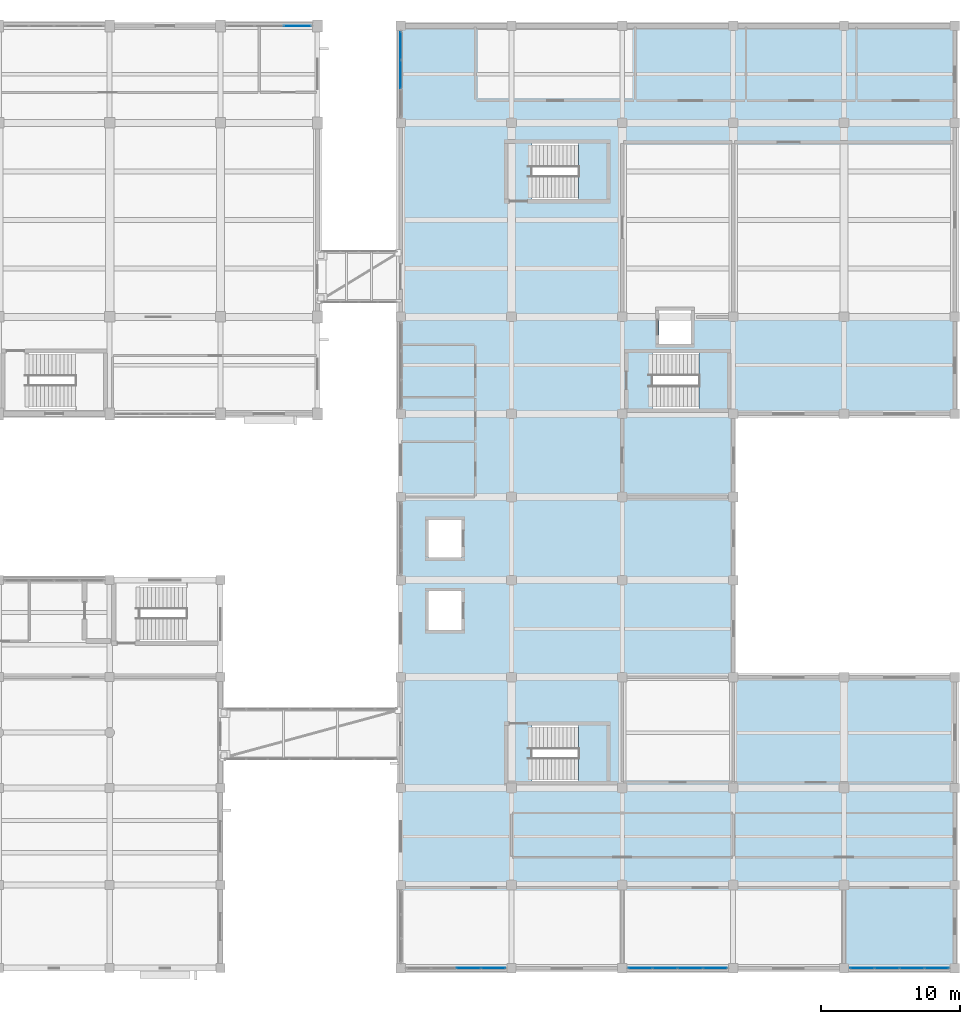
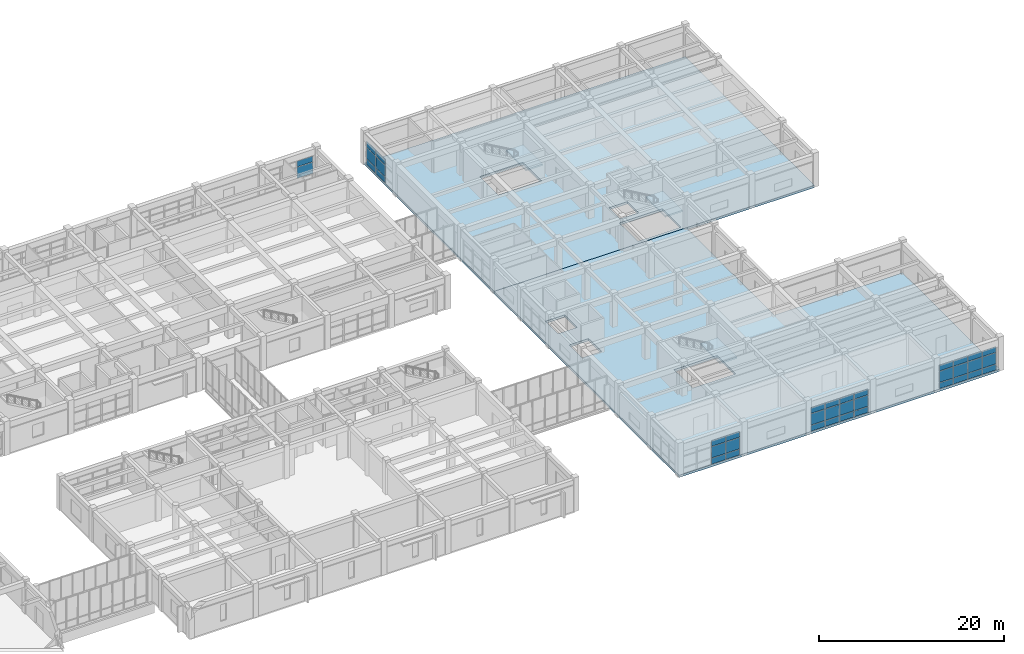
# One storey, part 44 of 72: 38 plates, 5 slabs, 8 elements without a shape of their own.
"""IFC4 building model written with IfcOpenShell, lengths in metres."""

from ifc_helpers import new_model, si_unit, direction, frame, origin, origin_2d, place, context, subcontext, project, spatial, polyline, rectangle, outline, extrude, material, layer, layer_set, type_object, element, aggregate, save


model = new_model("IFC4")

# Units and contexts
model_context = context("Model", 3, precision=1e-05, world=origin(), true_north=direction((0.0, 1.0)))
body_context = subcontext(model_context, "Body", "Model", "MODEL_VIEW")
ifc_project = project(units=[si_unit("LENGTHUNIT", "METRE"), si_unit("AREAUNIT", "SQUARE_METRE"), si_unit("VOLUMEUNIT", "CUBIC_METRE"), si_unit("PLANEANGLEUNIT", "RADIAN"), si_unit("MASSUNIT", "GRAM", prefix="KILO")], contexts=[model_context])

# Site, building, storey
site_placement = place(None, origin())
site = spatial("IfcSite", under=ifc_project, at=site_placement, CompositionType="ELEMENT")
building_placement = place(site_placement, origin())
building = spatial("IfcBuilding", under=site, at=building_placement, Name="Naurynzar Civic Courthouse", CompositionType="ELEMENT")
storey_placement = place(building_placement, frame((0.0, 0.0, 9.89990234375)))
storey = spatial("IfcBuildingStorey", under=building, at=storey_placement, Name="L03", CompositionType="ELEMENT", Elevation=9.89990234375)

# Curtain wall, plates
ifc_material_1 = material(Name="Aluminium 6063-T6", Category="aluminium")
ifc_layer_1 = layer(ifc_material_1, 0.159912109375)
ifc_layer_set_1 = layer_set([ifc_layer_1], Name="CW-UNIT-1800")
curtain_wall_type = type_object("IfcCurtainWallType", Name="CW-UNIT-1800", PredefinedType="NOTDEFINED", material=ifc_layer_set_1)
curtain_wall_1_placement = place(storey_placement, origin())
curtain_wall_1 = element("IfcCurtainWall", 1, at=curtain_wall_1_placement, inside=storey, type_object=curtain_wall_type, Name="V2 unitised curtain wall 27 L03", PredefinedType="NOTDEFINED")
ifc_material_2 = material(Name="Tempered Laminated Low-E Glass", Category="glass")
ifc_layer_2 = layer(ifc_material_2, 0.035888671875)
ifc_layer_set_2 = layer_set([ifc_layer_2], Name="CWP-IGU-36")
plate_type = type_object("IfcPlateType", Name="CWP-IGU-36", PredefinedType="CURTAIN_PANEL", material=ifc_layer_set_2)
plate_1_placement = place(storey_placement, frame((122.549072265625, 72.0, 0.885009765625), z_axis=(0.0, 0.0, 1.0), x_axis=(1.0, 0.0, 0.0)))
plate_1 = element("IfcPlate", 2, at=plate_1_placement, type_object=plate_type, Name="CW-02 panel 3.2", PredefinedType="CURTAIN_PANEL", context=body_context, shape_type="SweptSolid", body=[
    extrude(rectangle(XDim=1.961669921875, YDim=0.035888671875, at=origin_2d()), origin(), (0.0, 0.0, 1.0), 1.4599609375),
])
plate_2_placement = place(storey_placement, frame((122.549072265625, 72.0, 2.4150390625), z_axis=(0.0, 0.0, 1.0), x_axis=(1.0, 0.0, 0.0)))
plate_2 = element("IfcPlate", 3, at=plate_2_placement, type_object=plate_type, Name="CW-02 panel 3.3", PredefinedType="CURTAIN_PANEL", context=body_context, shape_type="SweptSolid", body=[
    extrude(rectangle(XDim=1.961669921875, YDim=0.035888671875, at=origin_2d()), origin(), (0.0, 0.0, 1.0), 0.7451171875),
])
aggregate(curtain_wall_1, [plate_1, plate_2])

curtain_wall_2_placement = place(storey_placement, origin())
curtain_wall_2 = element("IfcCurtainWall", 4, at=curtain_wall_2_placement, inside=storey, type_object=curtain_wall_type, Name="V5 unitised curtain wall 93 L03", PredefinedType="NOTDEFINED")
plate_3_placement = place(storey_placement, frame((130.0, 68.5, 0.070068359375), z_axis=(0.0, 0.0, 1.0), x_axis=(0.0, 1.0, 0.0)))
plate_3 = element("IfcPlate", 5, at=plate_3_placement, type_object=plate_type, Name="CW-02 panel 2.1", PredefinedType="CURTAIN_PANEL", context=body_context, shape_type="SweptSolid", body=[
    extrude(rectangle(XDim=2.0048828125, YDim=0.035888671875, at=origin_2d()), origin(), (0.0, 0.0, 1.0), 0.7451171875),
])
plate_4_placement = place(storey_placement, frame((130.0, 68.5, 0.885009765625), z_axis=(0.0, 0.0, 1.0), x_axis=(0.0, 1.0, 0.0)))
plate_4 = element("IfcPlate", 6, at=plate_4_placement, type_object=plate_type, Name="CW-02 panel 2.2", PredefinedType="CURTAIN_PANEL", context=body_context, shape_type="SweptSolid", body=[
    extrude(rectangle(XDim=2.0048828125, YDim=0.035888671875, at=origin_2d()), origin(), (0.0, 0.0, 1.0), 1.4599609375),
])
plate_5_placement = place(storey_placement, frame((130.0, 68.5, 2.4150390625), z_axis=(0.0, 0.0, 1.0), x_axis=(0.0, 1.0, 0.0)))
plate_5 = element("IfcPlate", 7, at=plate_5_placement, type_object=plate_type, Name="CW-02 panel 2.3", PredefinedType="CURTAIN_PANEL", context=body_context, shape_type="SweptSolid", body=[
    extrude(rectangle(XDim=2.0048828125, YDim=0.035888671875, at=origin_2d()), origin(), (0.0, 0.0, 1.0), 0.7451171875),
])
plate_6_placement = place(storey_placement, frame((130.0, 70.5576171875, 0.070068359375), z_axis=(0.0, 0.0, 1.0), x_axis=(0.0, 1.0, 0.0)))
plate_6 = element("IfcPlate", 8, at=plate_6_placement, type_object=plate_type, Name="CW-02 panel 3.1", PredefinedType="CURTAIN_PANEL", context=body_context, shape_type="SweptSolid", body=[
    extrude(rectangle(XDim=1.969970703125, YDim=0.035888671875, at=origin_2d()), origin(), (0.0, 0.0, 1.0), 0.7451171875),
])
plate_7_placement = place(storey_placement, frame((130.0, 70.5576171875, 0.885009765625), z_axis=(0.0, 0.0, 1.0), x_axis=(0.0, 1.0, 0.0)))
plate_7 = element("IfcPlate", 9, at=plate_7_placement, type_object=plate_type, Name="CW-02 panel 3.2", PredefinedType="CURTAIN_PANEL", context=body_context, shape_type="SweptSolid", body=[
    extrude(rectangle(XDim=1.969970703125, YDim=0.035888671875, at=origin_2d()), origin(), (0.0, 0.0, 1.0), 1.4599609375),
])
plate_8_placement = place(storey_placement, frame((130.0, 70.5576171875, 2.4150390625), z_axis=(0.0, 0.0, 1.0), x_axis=(0.0, 1.0, 0.0)))
plate_8 = element("IfcPlate", 10, at=plate_8_placement, type_object=plate_type, Name="CW-02 panel 3.3", PredefinedType="CURTAIN_PANEL", context=body_context, shape_type="SweptSolid", body=[
    extrude(rectangle(XDim=1.969970703125, YDim=0.035888671875, at=origin_2d()), origin(), (0.0, 0.0, 1.0), 0.7451171875),
])
aggregate(curtain_wall_2, [plate_3, plate_4, plate_5, plate_6, plate_7, plate_8])

curtain_wall_3_placement = place(storey_placement, origin())
curtain_wall_3 = element("IfcCurtainWall", 11, at=curtain_wall_3_placement, inside=storey, type_object=curtain_wall_type, Name="V5 unitised curtain wall 94 L03", PredefinedType="NOTDEFINED")
plate_9_placement = place(storey_placement, frame((168.69189453125, 4.0, 0.070068359375), z_axis=(0.0, 0.0, 1.0), x_axis=(-1.0, 0.0, 0.0)))
plate_9 = element("IfcPlate", 12, at=plate_9_placement, type_object=plate_type, Name="CW-02 panel 1.1", PredefinedType="CURTAIN_PANEL", context=body_context, shape_type="SweptSolid", body=[
    extrude(rectangle(XDim=1.701171875, YDim=0.035888671875, at=origin_2d()), origin(), (0.0, 0.0, 1.0), 0.7451171875),
])
plate_10_placement = place(storey_placement, frame((168.69189453125, 4.0, 0.885009765625), z_axis=(0.0, 0.0, 1.0), x_axis=(-1.0, 0.0, 0.0)))
plate_10 = element("IfcPlate", 13, at=plate_10_placement, type_object=plate_type, Name="CW-02 panel 1.2", PredefinedType="CURTAIN_PANEL", context=body_context, shape_type="SweptSolid", body=[
    extrude(rectangle(XDim=1.701171875, YDim=0.035888671875, at=origin_2d()), origin(), (0.0, 0.0, 1.0), 1.4599609375),
])
plate_11_placement = place(storey_placement, frame((168.69189453125, 4.0, 2.4150390625), z_axis=(0.0, 0.0, 1.0), x_axis=(-1.0, 0.0, 0.0)))
plate_11 = element("IfcPlate", 14, at=plate_11_placement, type_object=plate_type, Name="CW-02 panel 1.3", PredefinedType="CURTAIN_PANEL", context=body_context, shape_type="SweptSolid", body=[
    extrude(rectangle(XDim=1.701171875, YDim=0.035888671875, at=origin_2d()), origin(), (0.0, 0.0, 1.0), 0.7451171875),
])
plate_12_placement = place(storey_placement, frame((166.903076171875, 4.0, 0.070068359375), z_axis=(0.0, 0.0, 1.0), x_axis=(-1.0, 0.0, 0.0)))
plate_12 = element("IfcPlate", 15, at=plate_12_placement, type_object=plate_type, Name="CW-02 panel 2.1", PredefinedType="CURTAIN_PANEL", context=body_context, shape_type="SweptSolid", body=[
    extrude(rectangle(XDim=1.736328125, YDim=0.035888671875, at=origin_2d()), origin(), (0.0, 0.0, 1.0), 0.7451171875),
])
plate_13_placement = place(storey_placement, frame((166.903076171875, 4.0, 0.885009765625), z_axis=(0.0, 0.0, 1.0), x_axis=(-1.0, 0.0, 0.0)))
plate_13 = element("IfcPlate", 16, at=plate_13_placement, type_object=plate_type, Name="CW-02 panel 2.2", PredefinedType="CURTAIN_PANEL", context=body_context, shape_type="SweptSolid", body=[
    extrude(rectangle(XDim=1.736328125, YDim=0.035888671875, at=origin_2d()), origin(), (0.0, 0.0, 1.0), 1.4599609375),
])
plate_14_placement = place(storey_placement, frame((166.903076171875, 4.0, 2.4150390625), z_axis=(0.0, 0.0, 1.0), x_axis=(-1.0, 0.0, 0.0)))
plate_14 = element("IfcPlate", 17, at=plate_14_placement, type_object=plate_type, Name="CW-02 panel 2.3", PredefinedType="CURTAIN_PANEL", context=body_context, shape_type="SweptSolid", body=[
    extrude(rectangle(XDim=1.736328125, YDim=0.035888671875, at=origin_2d()), origin(), (0.0, 0.0, 1.0), 0.7451171875),
])
plate_15_placement = place(storey_placement, frame((165.096923828125, 4.0, 0.070068359375), z_axis=(0.0, 0.0, 1.0), x_axis=(-1.0, 0.0, 0.0)))
plate_15 = element("IfcPlate", 18, at=plate_15_placement, type_object=plate_type, Name="CW-02 panel 3.1", PredefinedType="CURTAIN_PANEL", context=body_context, shape_type="SweptSolid", body=[
    extrude(rectangle(XDim=1.736328125, YDim=0.035888671875, at=origin_2d()), origin(), (0.0, 0.0, 1.0), 0.7451171875),
])
plate_16_placement = place(storey_placement, frame((165.096923828125, 4.0, 0.885009765625), z_axis=(0.0, 0.0, 1.0), x_axis=(-1.0, 0.0, 0.0)))
plate_16 = element("IfcPlate", 19, at=plate_16_placement, type_object=plate_type, Name="CW-02 panel 3.2", PredefinedType="CURTAIN_PANEL", context=body_context, shape_type="SweptSolid", body=[
    extrude(rectangle(XDim=1.736328125, YDim=0.035888671875, at=origin_2d()), origin(), (0.0, 0.0, 1.0), 1.4599609375),
])
plate_17_placement = place(storey_placement, frame((165.096923828125, 4.0, 2.4150390625), z_axis=(0.0, 0.0, 1.0), x_axis=(-1.0, 0.0, 0.0)))
plate_17 = element("IfcPlate", 20, at=plate_17_placement, type_object=plate_type, Name="CW-02 panel 3.3", PredefinedType="CURTAIN_PANEL", context=body_context, shape_type="SweptSolid", body=[
    extrude(rectangle(XDim=1.736328125, YDim=0.035888671875, at=origin_2d()), origin(), (0.0, 0.0, 1.0), 0.7451171875),
])
plate_18_placement = place(storey_placement, frame((163.30810546875, 4.0, 0.070068359375), z_axis=(0.0, 0.0, 1.0), x_axis=(-1.0, 0.0, 0.0)))
plate_18 = element("IfcPlate", 21, at=plate_18_placement, type_object=plate_type, Name="CW-02 panel 4.1", PredefinedType="CURTAIN_PANEL", context=body_context, shape_type="SweptSolid", body=[
    extrude(rectangle(XDim=1.701171875, YDim=0.035888671875, at=origin_2d()), origin(), (0.0, 0.0, 1.0), 0.7451171875),
])
plate_19_placement = place(storey_placement, frame((163.30810546875, 4.0, 0.885009765625), z_axis=(0.0, 0.0, 1.0), x_axis=(-1.0, 0.0, 0.0)))
plate_19 = element("IfcPlate", 22, at=plate_19_placement, type_object=plate_type, Name="CW-02 panel 4.2", PredefinedType="CURTAIN_PANEL", context=body_context, shape_type="SweptSolid", body=[
    extrude(rectangle(XDim=1.701171875, YDim=0.035888671875, at=origin_2d()), origin(), (0.0, 0.0, 1.0), 1.4599609375),
])
plate_20_placement = place(storey_placement, frame((163.30810546875, 4.0, 2.4150390625), z_axis=(0.0, 0.0, 1.0), x_axis=(-1.0, 0.0, 0.0)))
plate_20 = element("IfcPlate", 23, at=plate_20_placement, type_object=plate_type, Name="CW-02 panel 4.3", PredefinedType="CURTAIN_PANEL", context=body_context, shape_type="SweptSolid", body=[
    extrude(rectangle(XDim=1.701171875, YDim=0.035888671875, at=origin_2d()), origin(), (0.0, 0.0, 1.0), 0.7451171875),
])
aggregate(curtain_wall_3, [plate_9, plate_10, plate_11, plate_12, plate_13, plate_14, plate_15, plate_16, plate_17, plate_18, plate_19, plate_20])

curtain_wall_4_placement = place(storey_placement, origin())
curtain_wall_4 = element("IfcCurtainWall", 24, at=curtain_wall_4_placement, inside=storey, type_object=curtain_wall_type, Name="V5 unitised curtain wall 95 L03", PredefinedType="NOTDEFINED")
plate_21_placement = place(storey_placement, frame((152.69189453125, 4.0, 0.070068359375), z_axis=(0.0, 0.0, 1.0), x_axis=(-1.0, 0.0, 0.0)))
plate_21 = element("IfcPlate", 25, at=plate_21_placement, type_object=plate_type, Name="CW-02 panel 1.1", PredefinedType="CURTAIN_PANEL", context=body_context, shape_type="SweptSolid", body=[
    extrude(rectangle(XDim=1.701171875, YDim=0.035888671875, at=origin_2d()), origin(), (0.0, 0.0, 1.0), 0.7451171875),
])
plate_22_placement = place(storey_placement, frame((152.69189453125, 4.0, 0.885009765625), z_axis=(0.0, 0.0, 1.0), x_axis=(-1.0, 0.0, 0.0)))
plate_22 = element("IfcPlate", 26, at=plate_22_placement, type_object=plate_type, Name="CW-02 panel 1.2", PredefinedType="CURTAIN_PANEL", context=body_context, shape_type="SweptSolid", body=[
    extrude(rectangle(XDim=1.701171875, YDim=0.035888671875, at=origin_2d()), origin(), (0.0, 0.0, 1.0), 1.4599609375),
])
plate_23_placement = place(storey_placement, frame((152.69189453125, 4.0, 2.4150390625), z_axis=(0.0, 0.0, 1.0), x_axis=(-1.0, 0.0, 0.0)))
plate_23 = element("IfcPlate", 27, at=plate_23_placement, type_object=plate_type, Name="CW-02 panel 1.3", PredefinedType="CURTAIN_PANEL", context=body_context, shape_type="SweptSolid", body=[
    extrude(rectangle(XDim=1.701171875, YDim=0.035888671875, at=origin_2d()), origin(), (0.0, 0.0, 1.0), 0.7451171875),
])
plate_24_placement = place(storey_placement, frame((150.903076171875, 4.0, 0.070068359375), z_axis=(0.0, 0.0, 1.0), x_axis=(-1.0, 0.0, 0.0)))
plate_24 = element("IfcPlate", 28, at=plate_24_placement, type_object=plate_type, Name="CW-02 panel 2.1", PredefinedType="CURTAIN_PANEL", context=body_context, shape_type="SweptSolid", body=[
    extrude(rectangle(XDim=1.736328125, YDim=0.035888671875, at=origin_2d()), origin(), (0.0, 0.0, 1.0), 0.7451171875),
])
plate_25_placement = place(storey_placement, frame((150.903076171875, 4.0, 0.885009765625), z_axis=(0.0, 0.0, 1.0), x_axis=(-1.0, 0.0, 0.0)))
plate_25 = element("IfcPlate", 29, at=plate_25_placement, type_object=plate_type, Name="CW-02 panel 2.2", PredefinedType="CURTAIN_PANEL", context=body_context, shape_type="SweptSolid", body=[
    extrude(rectangle(XDim=1.736328125, YDim=0.035888671875, at=origin_2d()), origin(), (0.0, 0.0, 1.0), 1.4599609375),
])
plate_26_placement = place(storey_placement, frame((150.903076171875, 4.0, 2.4150390625), z_axis=(0.0, 0.0, 1.0), x_axis=(-1.0, 0.0, 0.0)))
plate_26 = element("IfcPlate", 30, at=plate_26_placement, type_object=plate_type, Name="CW-02 panel 2.3", PredefinedType="CURTAIN_PANEL", context=body_context, shape_type="SweptSolid", body=[
    extrude(rectangle(XDim=1.736328125, YDim=0.035888671875, at=origin_2d()), origin(), (0.0, 0.0, 1.0), 0.7451171875),
])
plate_27_placement = place(storey_placement, frame((149.096923828125, 4.0, 0.070068359375), z_axis=(0.0, 0.0, 1.0), x_axis=(-1.0, 0.0, 0.0)))
plate_27 = element("IfcPlate", 31, at=plate_27_placement, type_object=plate_type, Name="CW-02 panel 3.1", PredefinedType="CURTAIN_PANEL", context=body_context, shape_type="SweptSolid", body=[
    extrude(rectangle(XDim=1.736328125, YDim=0.035888671875, at=origin_2d()), origin(), (0.0, 0.0, 1.0), 0.7451171875),
])
plate_28_placement = place(storey_placement, frame((149.096923828125, 4.0, 0.885009765625), z_axis=(0.0, 0.0, 1.0), x_axis=(-1.0, 0.0, 0.0)))
plate_28 = element("IfcPlate", 32, at=plate_28_placement, type_object=plate_type, Name="CW-02 panel 3.2", PredefinedType="CURTAIN_PANEL", context=body_context, shape_type="SweptSolid", body=[
    extrude(rectangle(XDim=1.736328125, YDim=0.035888671875, at=origin_2d()), origin(), (0.0, 0.0, 1.0), 1.4599609375),
])
plate_29_placement = place(storey_placement, frame((149.096923828125, 4.0, 2.4150390625), z_axis=(0.0, 0.0, 1.0), x_axis=(-1.0, 0.0, 0.0)))
plate_29 = element("IfcPlate", 33, at=plate_29_placement, type_object=plate_type, Name="CW-02 panel 3.3", PredefinedType="CURTAIN_PANEL", context=body_context, shape_type="SweptSolid", body=[
    extrude(rectangle(XDim=1.736328125, YDim=0.035888671875, at=origin_2d()), origin(), (0.0, 0.0, 1.0), 0.7451171875),
])
plate_30_placement = place(storey_placement, frame((147.30810546875, 4.0, 0.070068359375), z_axis=(0.0, 0.0, 1.0), x_axis=(-1.0, 0.0, 0.0)))
plate_30 = element("IfcPlate", 34, at=plate_30_placement, type_object=plate_type, Name="CW-02 panel 4.1", PredefinedType="CURTAIN_PANEL", context=body_context, shape_type="SweptSolid", body=[
    extrude(rectangle(XDim=1.701171875, YDim=0.035888671875, at=origin_2d()), origin(), (0.0, 0.0, 1.0), 0.7451171875),
])
plate_31_placement = place(storey_placement, frame((147.30810546875, 4.0, 0.885009765625), z_axis=(0.0, 0.0, 1.0), x_axis=(-1.0, 0.0, 0.0)))
plate_31 = element("IfcPlate", 35, at=plate_31_placement, type_object=plate_type, Name="CW-02 panel 4.2", PredefinedType="CURTAIN_PANEL", context=body_context, shape_type="SweptSolid", body=[
    extrude(rectangle(XDim=1.701171875, YDim=0.035888671875, at=origin_2d()), origin(), (0.0, 0.0, 1.0), 1.4599609375),
])
plate_32_placement = place(storey_placement, frame((147.30810546875, 4.0, 2.4150390625), z_axis=(0.0, 0.0, 1.0), x_axis=(-1.0, 0.0, 0.0)))
plate_32 = element("IfcPlate", 36, at=plate_32_placement, type_object=plate_type, Name="CW-02 panel 4.3", PredefinedType="CURTAIN_PANEL", context=body_context, shape_type="SweptSolid", body=[
    extrude(rectangle(XDim=1.701171875, YDim=0.035888671875, at=origin_2d()), origin(), (0.0, 0.0, 1.0), 0.7451171875),
])
aggregate(curtain_wall_4, [plate_21, plate_22, plate_23, plate_24, plate_25, plate_26, plate_27, plate_28, plate_29, plate_30, plate_31, plate_32])

curtain_wall_5_placement = place(storey_placement, origin())
curtain_wall_5 = element("IfcCurtainWall", 37, at=curtain_wall_5_placement, inside=storey, type_object=curtain_wall_type, Name="V5 unitised curtain wall 96 L03", PredefinedType="NOTDEFINED")
plate_33_placement = place(storey_placement, frame((136.69189453125, 4.0, 0.070068359375), z_axis=(0.0, 0.0, 1.0), x_axis=(-1.0, 0.0, 0.0)))
plate_33 = element("IfcPlate", 38, at=plate_33_placement, type_object=plate_type, Name="CW-02 panel 1.1", PredefinedType="CURTAIN_PANEL", context=body_context, shape_type="SweptSolid", body=[
    extrude(rectangle(XDim=1.701171875, YDim=0.035888671875, at=origin_2d()), origin(), (0.0, 0.0, 1.0), 0.7451171875),
])
plate_34_placement = place(storey_placement, frame((136.69189453125, 4.0, 0.885009765625), z_axis=(0.0, 0.0, 1.0), x_axis=(-1.0, 0.0, 0.0)))
plate_34 = element("IfcPlate", 39, at=plate_34_placement, type_object=plate_type, Name="CW-02 panel 1.2", PredefinedType="CURTAIN_PANEL", context=body_context, shape_type="SweptSolid", body=[
    extrude(rectangle(XDim=1.701171875, YDim=0.035888671875, at=origin_2d()), origin(), (0.0, 0.0, 1.0), 1.4599609375),
])
plate_35_placement = place(storey_placement, frame((136.69189453125, 4.0, 2.4150390625), z_axis=(0.0, 0.0, 1.0), x_axis=(-1.0, 0.0, 0.0)))
plate_35 = element("IfcPlate", 40, at=plate_35_placement, type_object=plate_type, Name="CW-02 panel 1.3", PredefinedType="CURTAIN_PANEL", context=body_context, shape_type="SweptSolid", body=[
    extrude(rectangle(XDim=1.701171875, YDim=0.035888671875, at=origin_2d()), origin(), (0.0, 0.0, 1.0), 0.7451171875),
])
plate_36_placement = place(storey_placement, frame((134.903076171875, 4.0, 0.070068359375), z_axis=(0.0, 0.0, 1.0), x_axis=(-1.0, 0.0, 0.0)))
plate_36 = element("IfcPlate", 41, at=plate_36_placement, type_object=plate_type, Name="CW-02 panel 2.1", PredefinedType="CURTAIN_PANEL", context=body_context, shape_type="SweptSolid", body=[
    extrude(rectangle(XDim=1.736328125, YDim=0.035888671875, at=origin_2d()), origin(), (0.0, 0.0, 1.0), 0.7451171875),
])
plate_37_placement = place(storey_placement, frame((134.903076171875, 4.0, 0.885009765625), z_axis=(0.0, 0.0, 1.0), x_axis=(-1.0, 0.0, 0.0)))
plate_37 = element("IfcPlate", 42, at=plate_37_placement, type_object=plate_type, Name="CW-02 panel 2.2", PredefinedType="CURTAIN_PANEL", context=body_context, shape_type="SweptSolid", body=[
    extrude(rectangle(XDim=1.736328125, YDim=0.035888671875, at=origin_2d()), origin(), (0.0, 0.0, 1.0), 1.4599609375),
])
plate_38_placement = place(storey_placement, frame((134.903076171875, 4.0, 2.4150390625), z_axis=(0.0, 0.0, 1.0), x_axis=(-1.0, 0.0, 0.0)))
plate_38 = element("IfcPlate", 43, at=plate_38_placement, type_object=plate_type, Name="CW-02 panel 2.3", PredefinedType="CURTAIN_PANEL", context=body_context, shape_type="SweptSolid", body=[
    extrude(rectangle(XDim=1.736328125, YDim=0.035888671875, at=origin_2d()), origin(), (0.0, 0.0, 1.0), 0.7451171875),
])
aggregate(curtain_wall_5, [plate_33, plate_34, plate_35, plate_36, plate_37, plate_38])

# Stair, slab
ifc_material_3 = material(Name="Concrete C35/45", Category="concrete")
stair_type_1 = type_object("IfcStairType", Name="STAIR-CORE-1600", PredefinedType="TWO_STRAIGHT_RUN_STAIR", material=ifc_material_3)
stair_1_placement = place(storey_placement, origin())
stair_1 = element("IfcStair", 44, at=stair_1_placement, inside=storey, type_object=stair_type_1, Name="Enclosed escape stair ST-V5A L03", PredefinedType="TWO_STRAIGHT_RUN_STAIR")
ifc_material_4 = material(Name="Concrete C35/45", Category="concrete")
ifc_layer_3 = layer(ifc_material_4, 0.199951171875)
ifc_layer_set_3 = layer_set([ifc_layer_3], Name="SLB-LAND-200")
slab_type_1 = type_object("IfcSlabType", Name="SLB-LAND-200", PredefinedType="LANDING", material=ifc_layer_set_3)
slab_1_placement = place(storey_placement, frame((0.0, 0.0, 2.050048828125)))
slab_1 = element("IfcSlab", 45, at=slab_1_placement, type_object=slab_type_1, Name="ST-V5A-L03 landing 1", PredefinedType="LANDING", context=body_context, shape_type="SweptSolid", body=[
    extrude(outline(polyline([(142.840087890625, 17.3798828125), (144.969970703125, 17.3798828125), (144.969970703125, 21.6201171875), (142.840087890625, 21.6201171875), (142.840087890625, 17.3798828125)])), origin(), (0.0, 0.0, 1.0), 0.199951171875),
])
aggregate(stair_1, [slab_1])

stair_2_placement = place(storey_placement, origin())
stair_2 = element("IfcStair", 46, at=stair_2_placement, inside=storey, type_object=stair_type_1, Name="Enclosed escape stair ST-V5B L03", PredefinedType="TWO_STRAIGHT_RUN_STAIR")
slab_2_placement = place(storey_placement, frame((0.0, 0.0, 2.050048828125)))
slab_2 = element("IfcSlab", 47, at=slab_2_placement, type_object=slab_type_1, Name="ST-V5B-L03 landing 1", PredefinedType="LANDING", context=body_context, shape_type="SweptSolid", body=[
    extrude(outline(polyline([(142.840087890625, 59.3798828125), (144.969970703125, 59.3798828125), (144.969970703125, 63.6201171875), (142.840087890625, 63.6201171875), (142.840087890625, 59.3798828125)])), origin(), (0.0, 0.0, 1.0), 0.199951171875),
])
aggregate(stair_2, [slab_2])

ifc_material_5 = material(Name="Concrete C35/45", Category="concrete")
stair_type_2 = type_object("IfcStairType", Name="STAIR-CUS-1550", PredefinedType="TWO_STRAIGHT_RUN_STAIR", material=ifc_material_5)
stair_3_placement = place(storey_placement, origin())
stair_3 = element("IfcStair", 48, at=stair_3_placement, inside=storey, type_object=stair_type_2, Name="Enclosed escape stair ST-CUS L03", PredefinedType="TWO_STRAIGHT_RUN_STAIR")
slab_3_placement = place(storey_placement, frame((0.0, 0.0, 2.050048828125)))
slab_3 = element("IfcSlab", 49, at=slab_3_placement, type_object=slab_type_1, Name="ST-CUS-L03 landing 1", PredefinedType="LANDING", context=body_context, shape_type="SweptSolid", body=[
    extrude(outline(polyline([(151.5400390625, 44.280029296875), (153.669921875, 44.280029296875), (153.669921875, 48.52001953125), (151.5400390625, 48.52001953125), (151.5400390625, 44.280029296875)])), origin(), (0.0, 0.0, 1.0), 0.199951171875),
])
aggregate(stair_3, [slab_3])

# Slabs
ifc_material_6 = material(Name="Concrete C35/45", Category="concrete")
ifc_layer_4 = layer(ifc_material_6, 0.300048828125)
ifc_layer_set_4 = layer_set([ifc_layer_4], Name="SLB-PT-300")
slab_type_2 = type_object("IfcSlabType", Name="SLB-PT-300", PredefinedType="FLOOR", material=ifc_layer_set_4)
slab_4_placement = place(storey_placement, frame((0.0, 0.0, -0.2998046875)))
element("IfcSlab", 50, at=slab_4_placement, inside=storey, type_object=slab_type_2, Name="V5 floor slab L03 S", PredefinedType="FLOOR", context=body_context, shape_type="SweptSolid", body=[
    extrude(outline(polyline([(170.0, 4.0), (130.0, 4.0), (130.0, 44.0), (154.0, 44.0), (154.0, 25.0), (170.0, 25.0), (170.0, 4.0)]), holes=[polyline([(139.47998046875, 17.5), (144.85009765625, 17.5), (144.85009765625, 21.5), (139.47998046875, 21.5), (139.47998046875, 17.5)]), polyline([(132.0, 33.64990234375), (134.39990234375, 33.64990234375), (134.39990234375, 36.35009765625), (132.0, 36.35009765625), (132.0, 33.64990234375)]), polyline([(132.0, 28.39990234375), (134.39990234375, 28.39990234375), (134.39990234375, 31.199951171875), (132.0, 31.199951171875), (132.0, 28.39990234375)])]), origin(), (0.0, 0.0, 1.0), 0.2998046875),
])
slab_5_placement = place(storey_placement, frame((0.0, 0.0, -0.2998046875)))
element("IfcSlab", 51, at=slab_5_placement, inside=storey, type_object=slab_type_2, Name="V5 floor slab L03 N", PredefinedType="FLOOR", context=body_context, shape_type="SweptSolid", body=[
    extrude(outline(polyline([(170.0, 44.0), (170.0, 72.0), (130.0, 72.0), (130.0, 44.0), (170.0, 44.0)]), holes=[polyline([(139.47998046875, 59.5), (144.85009765625, 59.5), (144.85009765625, 63.5), (139.47998046875, 63.5), (139.47998046875, 59.5)]), polyline([(148.179931640625, 44.39990234375), (153.550048828125, 44.39990234375), (153.550048828125, 48.39990234375), (148.179931640625, 48.39990234375), (148.179931640625, 44.39990234375)]), polyline([(148.64990234375, 49.050048828125), (150.949951171875, 49.050048828125), (150.949951171875, 51.449951171875), (148.64990234375, 51.449951171875), (148.64990234375, 49.050048828125)])]), origin(), (0.0, 0.0, 1.0), 0.2998046875),
])

save(model, "model.ifc")
